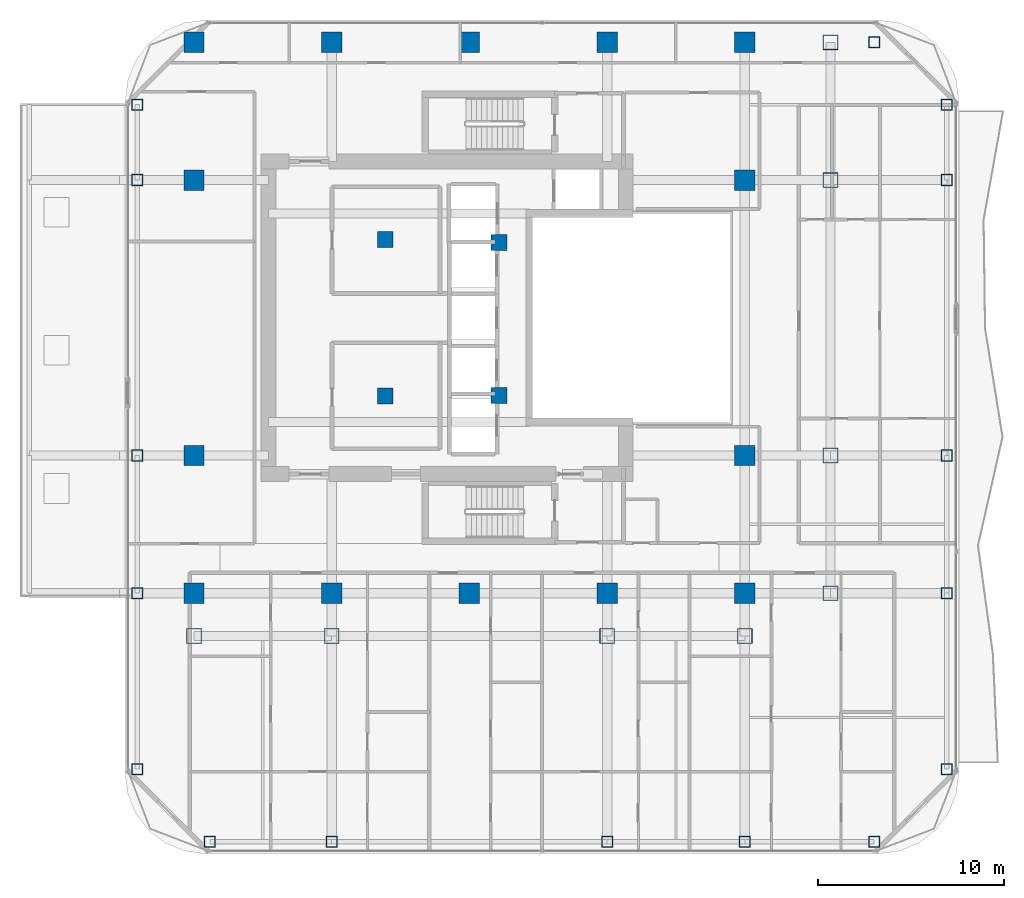
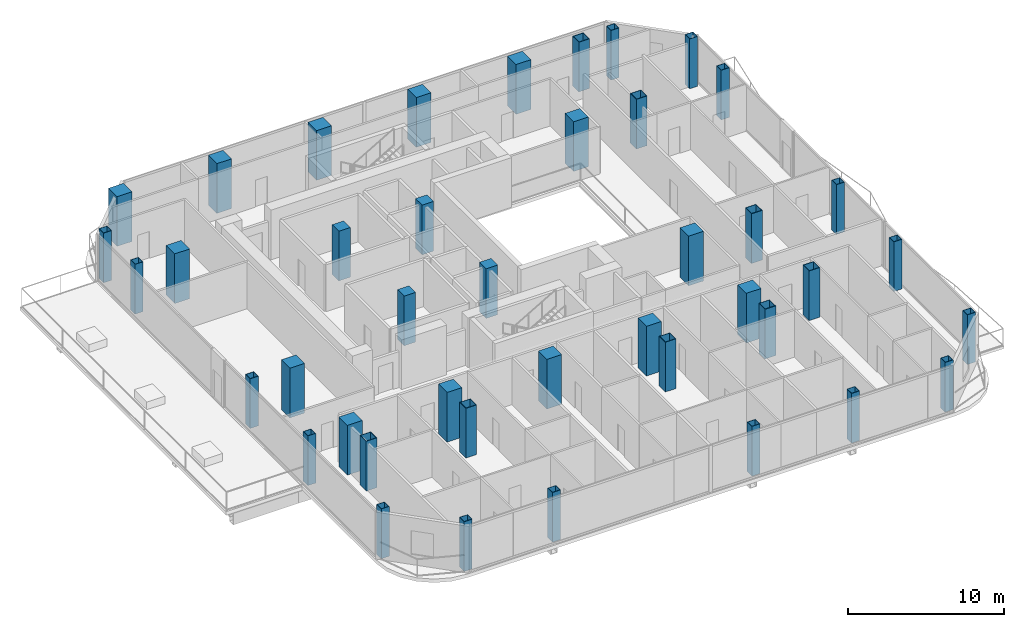
# One storey, part 1 of 26: 42 columns.
"""IFC4 building model written with IfcOpenShell, lengths in metres."""

from ifc_helpers import new_model, si_unit, direction, frame, origin, origin_2d, place, context, subcontext, project, spatial, rectangle, hollow_rectangle, extrude, material, material_profile, profile_set, type_object, element, save


model = new_model("IFC4")

# Units and contexts
model_context = context("Model", 3, precision=1e-05, world=origin(), true_north=direction((0.0, 1.0)))
body_context = subcontext(model_context, "Body", "Model", "MODEL_VIEW")
ifc_project = project(units=[si_unit("LENGTHUNIT", "METRE"), si_unit("AREAUNIT", "SQUARE_METRE"), si_unit("VOLUMEUNIT", "CUBIC_METRE"), si_unit("PLANEANGLEUNIT", "RADIAN"), si_unit("MASSUNIT", "GRAM", prefix="KILO")], contexts=[model_context])

# Site, building, storey
site_placement = place(None, origin())
site = spatial("IfcSite", under=ifc_project, at=site_placement, CompositionType="ELEMENT")
building_placement = place(site_placement, origin())
building = spatial("IfcBuilding", under=site, at=building_placement, Name="Khorvyn Point Tower", CompositionType="ELEMENT")
storey_placement = place(building_placement, frame((0.0, 0.0, 219.60009765625)))
storey = spatial("IfcBuildingStorey", under=building, at=storey_placement, Name="L54", CompositionType="ELEMENT", Elevation=219.60009765625)

# Columns
ifc_material_1 = material(Name="Concrete C40/50", Category="concrete")
ifc_material_profile_1 = material_profile(ifc_material_1, rectangle(XDim=0.85009765625, YDim=0.85009765625, at=origin_2d()))
ifc_profile_set_1 = profile_set([ifc_material_profile_1], Name="Concrete C40/50 RC850x850")
column_type_1 = type_object("IfcColumnType", Name="Concrete C40/50 Column RC850x850", PredefinedType="COLUMN", material=ifc_profile_set_1)
for number, where, z_axis, x_axis, name in (
    (1, (-4.52001953125, -4.199951171875, 0.0), (0.0, 0.0, 1.0), (1.0, 0.0, 0.0), "L54 Crown Core Spine Column 1"),
    (2, (1.580078125, -4.179931640625, 0.0), (0.0, 0.0, 1.0), (1.0, 0.0, 0.0), "L54 Crown Core Spine Column 2"),
    (3, (1.580078125, 4.050048828125, 0.0), (0.0, 0.0, 1.0), (1.0, 0.0, 0.0), "L54 Crown Core Spine Column 3"),
    (4, (-4.52001953125, 4.199951171875, 0.0), (0.0, 0.0, 1.0), (1.0, 0.0, 0.0), "L54 Crown Core Spine Column 4"),
):
    element("IfcColumn", number, at=place(storey_placement, frame(where, z_axis=z_axis, x_axis=x_axis)), inside=storey, type_object=column_type_1, Name=name, PredefinedType="COLUMN", context=body_context, shape_type="SweptSolid", body=[
        extrude(rectangle(XDim=0.85009765625, YDim=0.85009765625, at=origin_2d()), origin(), (0.0, 0.0, 1.0), 3.89990234375),
    ])
ifc_material_2 = material(Name="Concrete C45/55", Category="concrete")
ifc_material_profile_2 = material_profile(ifc_material_2, rectangle(XDim=1.10009765625, YDim=1.10009765625, at=origin_2d()))
ifc_profile_set_2 = profile_set([ifc_material_profile_2], Name="Concrete C45/55 RC1100x1100")
column_type_2 = type_object("IfcColumnType", Name="Concrete C45/55 Column RC1100x1100", PredefinedType="COLUMN", material=ifc_profile_set_2)
for number, where, z_axis, x_axis, name in (
    (5, (-14.800048828125, -14.800048828125, 0.0), (0.0, 0.0, 1.0), (1.0, 0.0, 0.0), "L54 Mega-Column MC-01"),
    (6, (-7.39990234375, -14.800048828125, 0.0), (0.0, 0.0, 1.0), (1.0, 0.0, 0.0), "L54 Mega-Column MC-02"),
    (7, (0.0, -14.800048828125, 0.0), (0.0, 0.0, 1.0), (1.0, 0.0, 0.0), "L54 Mega-Column MC-03"),
    (8, (7.39990234375, -14.800048828125, 0.0), (0.0, 0.0, 1.0), (1.0, 0.0, 0.0), "L54 Mega-Column MC-04"),
    (9, (14.800048828125, -14.800048828125, 0.0), (0.0, 0.0, 1.0), (1.0, 0.0, 0.0), "L54 Mega-Column MC-05"),
    (10, (-14.800048828125, 14.800048828125, 0.0), (0.0, 0.0, 1.0), (1.0, 0.0, 0.0), "L54 Mega-Column MC-06"),
    (11, (-7.39990234375, 14.800048828125, 0.0), (0.0, 0.0, 1.0), (1.0, 0.0, 0.0), "L54 Mega-Column MC-07"),
    (12, (0.0, 14.800048828125, 0.0), (0.0, 0.0, 1.0), (1.0, 0.0, 0.0), "L54 Mega-Column MC-08"),
    (13, (7.39990234375, 14.800048828125, 0.0), (0.0, 0.0, 1.0), (1.0, 0.0, 0.0), "L54 Mega-Column MC-09"),
    (14, (14.800048828125, 14.800048828125, 0.0), (0.0, 0.0, 1.0), (1.0, 0.0, 0.0), "L54 Mega-Column MC-10"),
    (15, (-14.800048828125, -7.39990234375, 0.0), (0.0, 0.0, 1.0), (1.0, 0.0, 0.0), "L54 Mega-Column MC-11"),
    (16, (-14.800048828125, 7.39990234375, 0.0), (0.0, 0.0, 1.0), (1.0, 0.0, 0.0), "L54 Mega-Column MC-12"),
    (17, (14.800048828125, -7.39990234375, 0.0), (0.0, 0.0, 1.0), (1.0, 0.0, 0.0), "L54 Mega-Column MC-13"),
    (18, (14.800048828125, 7.39990234375, 0.0), (0.0, 0.0, 1.0), (1.0, 0.0, 0.0), "L54 Mega-Column MC-14"),
):
    element("IfcColumn", number, at=place(storey_placement, frame(where, z_axis=z_axis, x_axis=x_axis)), inside=storey, type_object=column_type_2, Name=name, PredefinedType="COLUMN", context=body_context, shape_type="SweptSolid", body=[
        extrude(rectangle(XDim=1.10009765625, YDim=1.10009765625, at=origin_2d()), origin(), (0.0, 0.0, 1.0), 3.89990234375),
    ])
ifc_material_3 = material(Name="Steel S450", Category="steel")
ifc_material_profile_3 = material_profile(ifc_material_3, hollow_rectangle(XDim=0.60009765625, YDim=0.60009765625, WallThickness=0.028076171875, at=origin_2d()))
ifc_profile_set_3 = profile_set([ifc_material_profile_3], Name="Steel S450 BOX600x600x28")
column_type_3 = type_object("IfcColumnType", Name="Steel S450 Structural Column BOX600x600x28", PredefinedType="COLUMN", material=ifc_profile_set_3)
for number, where, z_axis, x_axis, name in (
    (19, (-13.949951171875, -28.14990234375, 0.0), (0.0, 0.0, 1.0), (1.0, 0.0, 0.0), "L54 Perimeter Tube Column TC-01"),
    (20, (21.75, -28.14990234375, 0.0), (0.0, 0.0, 1.0), (1.0, 0.0, 0.0), "L54 Perimeter Tube Column TC-02"),
    (21, (21.75, 14.800048828125, 0.0), (0.0, 0.0, 1.0), (1.0, 0.0, 0.0), "L54 Perimeter Tube Column TC-03"),
    (22, (-17.85009765625, -24.25, 0.0), (0.0, 0.0, 1.0), (1.0, 0.0, 0.0), "L54 Perimeter Tube Column TC-04"),
    (23, (-17.85009765625, 11.449951171875, 0.0), (0.0, 0.0, 1.0), (1.0, 0.0, 0.0), "L54 Perimeter Tube Column TC-05"),
    (24, (25.64990234375, -24.25, 0.0), (0.0, 0.0, 1.0), (1.0, 0.0, 0.0), "L54 Perimeter Tube Column TC-06"),
    (25, (25.64990234375, 11.449951171875, 0.0), (0.0, 0.0, 1.0), (1.0, 0.0, 0.0), "L54 Perimeter Tube Column TC-07"),
    (26, (-7.39990234375, -28.14990234375, 0.0), (0.0, 0.0, 1.0), (1.0, 0.0, 0.0), "L54 Perimeter Tube Column TC-08"),
    (27, (7.39990234375, -28.14990234375, 0.0), (0.0, 0.0, 1.0), (1.0, 0.0, 0.0), "L54 Perimeter Tube Column TC-09"),
    (28, (14.800048828125, -28.14990234375, 0.0), (0.0, 0.0, 1.0), (1.0, 0.0, 0.0), "L54 Perimeter Tube Column TC-10"),
    (29, (-17.85009765625, -14.800048828125, 0.0), (0.0, 0.0, 1.0), (1.0, 0.0, 0.0), "L54 Perimeter Tube Column TC-11"),
    (30, (25.64990234375, -14.800048828125, 0.0), (0.0, 0.0, 1.0), (1.0, 0.0, 0.0), "L54 Perimeter Tube Column TC-12"),
    (31, (-17.85009765625, -7.39990234375, 0.0), (0.0, 0.0, 1.0), (1.0, 0.0, 0.0), "L54 Perimeter Tube Column TC-13"),
    (32, (25.64990234375, -7.39990234375, 0.0), (0.0, 0.0, 1.0), (1.0, 0.0, 0.0), "L54 Perimeter Tube Column TC-14"),
    (33, (-17.85009765625, 7.39990234375, 0.0), (0.0, 0.0, 1.0), (1.0, 0.0, 0.0), "L54 Perimeter Tube Column TC-15"),
    (34, (25.64990234375, 7.39990234375, 0.0), (0.0, 0.0, 1.0), (1.0, 0.0, 0.0), "L54 Perimeter Tube Column TC-16"),
):
    element("IfcColumn", number, at=place(storey_placement, frame(where, z_axis=z_axis, x_axis=x_axis)), inside=storey, type_object=column_type_3, Name=name, PredefinedType="COLUMN", context=body_context, shape_type="SweptSolid", body=[
        extrude(hollow_rectangle(XDim=0.60009765625, YDim=0.60009765625, WallThickness=0.028076171875, at=origin_2d()), origin(), (0.0, 0.0, 1.0), 3.89990234375),
    ])
ifc_material_profile_4 = material_profile(ifc_material_3, hollow_rectangle(XDim=0.800048828125, YDim=0.800048828125, WallThickness=0.035888671875, at=origin_2d()))
ifc_profile_set_4 = profile_set([ifc_material_profile_4], Name="Steel S450 BOX800x800x36")
column_type_4 = type_object("IfcColumnType", Name="Steel S450 Structural Column BOX800x800x36", PredefinedType="COLUMN", material=ifc_profile_set_4)
for number, where, z_axis, x_axis, name in (
    (35, (19.39990234375, -14.800048828125, 0.0), (0.0, 0.0, 1.0), (1.0, 0.0, 0.0), "L54 Intermediate Column ICE--14"),
    (36, (19.39990234375, -7.39990234375, 0.0), (0.0, 0.0, 1.0), (1.0, 0.0, 0.0), "L54 Intermediate Column ICE--7"),
    (37, (19.39990234375, 7.39990234375, 0.0), (0.0, 0.0, 1.0), (1.0, 0.0, 0.0), "L54 Intermediate Column ICE-7"),
    (38, (19.39990234375, 14.800048828125, 0.0), (0.0, 0.0, 1.0), (1.0, 0.0, 0.0), "L54 Intermediate Column ICE-14"),
    (39, (-14.800048828125, -17.10009765625, 0.0), (0.0, 0.0, 1.0), (1.0, 0.0, 0.0), "L54 Intermediate Column ICS--14"),
    (40, (-7.39990234375, -17.10009765625, 0.0), (0.0, 0.0, 1.0), (1.0, 0.0, 0.0), "L54 Intermediate Column ICS--7"),
    (41, (7.39990234375, -17.10009765625, 0.0), (0.0, 0.0, 1.0), (1.0, 0.0, 0.0), "L54 Intermediate Column ICS-7"),
    (42, (14.800048828125, -17.10009765625, 0.0), (0.0, 0.0, 1.0), (1.0, 0.0, 0.0), "L54 Intermediate Column ICS-14"),
):
    element("IfcColumn", number, at=place(storey_placement, frame(where, z_axis=z_axis, x_axis=x_axis)), inside=storey, type_object=column_type_4, Name=name, PredefinedType="COLUMN", context=body_context, shape_type="SweptSolid", body=[
        extrude(hollow_rectangle(XDim=0.800048828125, YDim=0.800048828125, WallThickness=0.035888671875, at=origin_2d()), origin(), (0.0, 0.0, 1.0), 3.89990234375),
    ])

save(model, "model.ifc")
